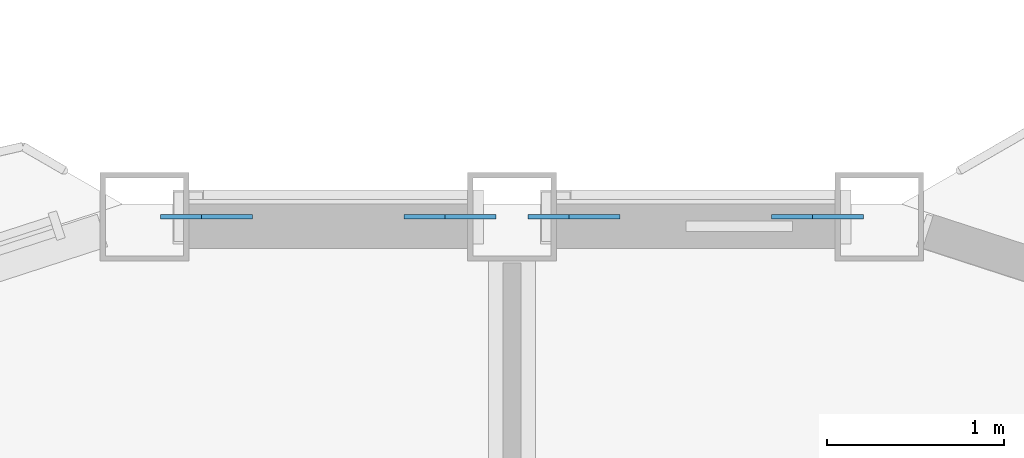
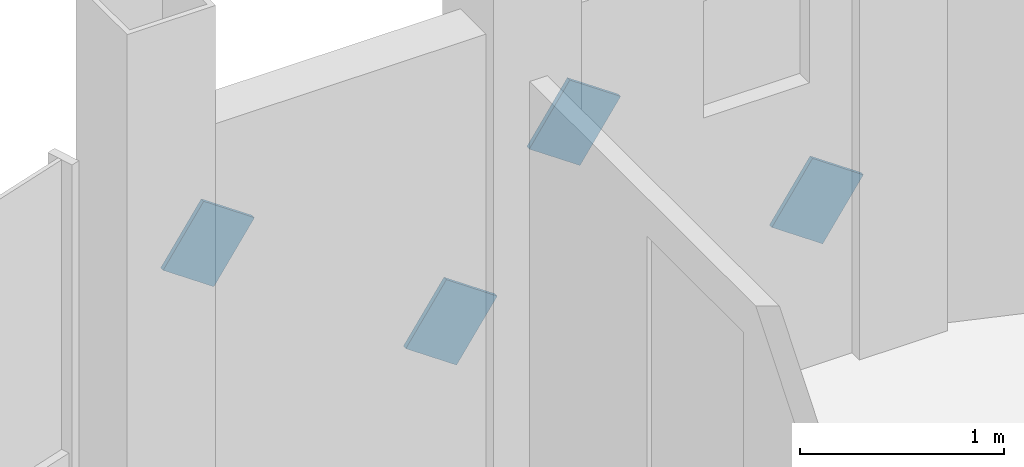
# One storey, part 21 of 26: 4 discrete accessories.
"""IFC4 building model written with IfcOpenShell, lengths in metres."""

from ifc_helpers import new_model, si_unit, direction, frame, origin, origin_2d, place, context, subcontext, project, spatial, rectangle, extrude, material, material_profile, profile_set, type_object, element, save


model = new_model("IFC4")

# Units and contexts
model_context = context("Model", 3, precision=1e-05, world=origin(), true_north=direction((0.0, 1.0)))
body_context = subcontext(model_context, "Body", "Model", "MODEL_VIEW")
ifc_project = project(units=[si_unit("LENGTHUNIT", "METRE"), si_unit("AREAUNIT", "SQUARE_METRE"), si_unit("VOLUMEUNIT", "CUBIC_METRE"), si_unit("PLANEANGLEUNIT", "RADIAN"), si_unit("MASSUNIT", "GRAM", prefix="KILO")], contexts=[model_context])

# Site, building, storey
site_placement = place(None, origin())
site = spatial("IfcSite", under=ifc_project, at=site_placement, CompositionType="ELEMENT")
building_placement = place(site_placement, origin())
building = spatial("IfcBuilding", under=site, at=building_placement, Name="Cormorant Prow Tower", CompositionType="ELEMENT")
storey_placement = place(building_placement, frame((0.0, 0.0, 398.39990234375)))
storey = spatial("IfcBuildingStorey", under=building, at=storey_placement, Name="L91", CompositionType="ELEMENT", Elevation=398.39990234375)

# Discrete accessories
ifc_material = material(Name="Structural steel ASTM A500 Gr C", Category="steel")
ifc_material_profile = material_profile(ifc_material, rectangle(XDim=0.02490234375, YDim=0.405029296875, at=origin_2d()), Name="Gusset plate 25x405")
ifc_profile_set = profile_set([ifc_material_profile], Name="Structural steel ASTM A500 Gr C")
discrete_accessory_type = type_object("IfcDiscreteAccessoryType", Name="Gusset plate 25x405", PredefinedType="BRACKET", material=ifc_profile_set)
discrete_accessory_1_placement = place(storey_placement, frame((1.580322265625, 31.219482421875, 0.94140625), z_axis=(0.82226750666, 0.0, -0.569101175093), x_axis=(0.0, 1.0, 0.0)))
element("IfcDiscreteAccessory", 1, at=discrete_accessory_1_placement, inside=storey, type_object=discrete_accessory_type, Name="Gusset plate GP3 L91.N00.g0", PredefinedType="BRACKET", context=body_context, shape_type="SweptSolid", body=[
    extrude(rectangle(XDim=0.02490234375, YDim=0.405029296875, at=origin_2d()), origin(), (0.0, 0.0, 1.0), 0.35009765625),
])
discrete_accessory_2_placement = place(storey_placement, frame((0.493408203125, 31.219482421875, 1.69287109375), z_axis=(-0.822593864641, 0.0, 0.568629346635), x_axis=(0.0, -1.0, 0.0)))
element("IfcDiscreteAccessory", 2, at=discrete_accessory_2_placement, inside=storey, type_object=discrete_accessory_type, Name="Gusset plate GP3 L91.N00.g1", PredefinedType="BRACKET", context=body_context, shape_type="SweptSolid", body=[
    extrude(rectangle(XDim=0.02490234375, YDim=0.405029296875, at=origin_2d()), origin(), (0.0, 0.0, 1.0), 0.349853515625),
])
discrete_accessory_3_placement = place(storey_placement, frame((-0.493408203125, 31.219482421875, 0.94140625), z_axis=(0.82226750666, 0.0, -0.569101175093), x_axis=(0.0, 1.0, 0.0)))
element("IfcDiscreteAccessory", 3, at=discrete_accessory_3_placement, inside=storey, type_object=discrete_accessory_type, Name="Gusset plate GP3 L91.N01.g0", PredefinedType="BRACKET", context=body_context, shape_type="SweptSolid", body=[
    extrude(rectangle(XDim=0.02490234375, YDim=0.405029296875, at=origin_2d()), origin(), (0.0, 0.0, 1.0), 0.35009765625),
])
discrete_accessory_4_placement = place(storey_placement, frame((-1.580322265625, 31.219482421875, 1.69287109375), z_axis=(-0.822593864641, 0.0, 0.568629346635), x_axis=(0.0, -1.0, 0.0)))
element("IfcDiscreteAccessory", 4, at=discrete_accessory_4_placement, inside=storey, type_object=discrete_accessory_type, Name="Gusset plate GP3 L91.N01.g1", PredefinedType="BRACKET", context=body_context, shape_type="SweptSolid", body=[
    extrude(rectangle(XDim=0.02490234375, YDim=0.405029296875, at=origin_2d()), origin(), (0.0, 0.0, 1.0), 0.349853515625),
])

save(model, "model.ifc")
